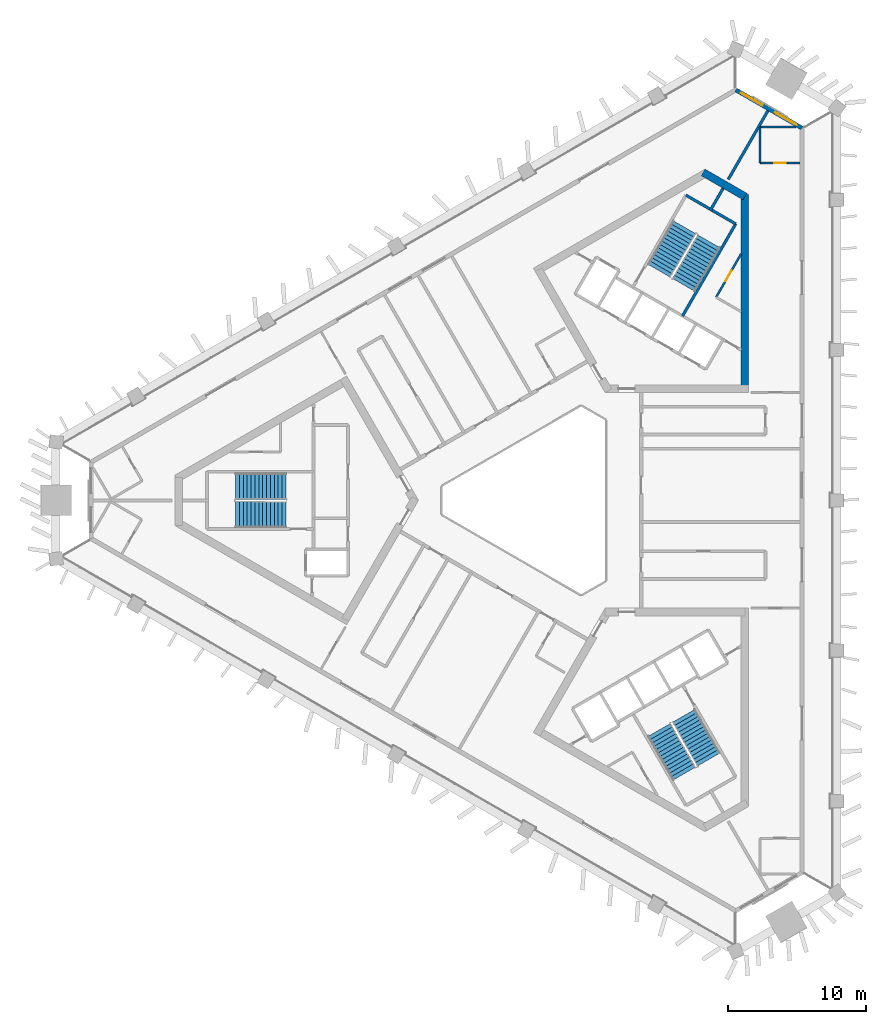
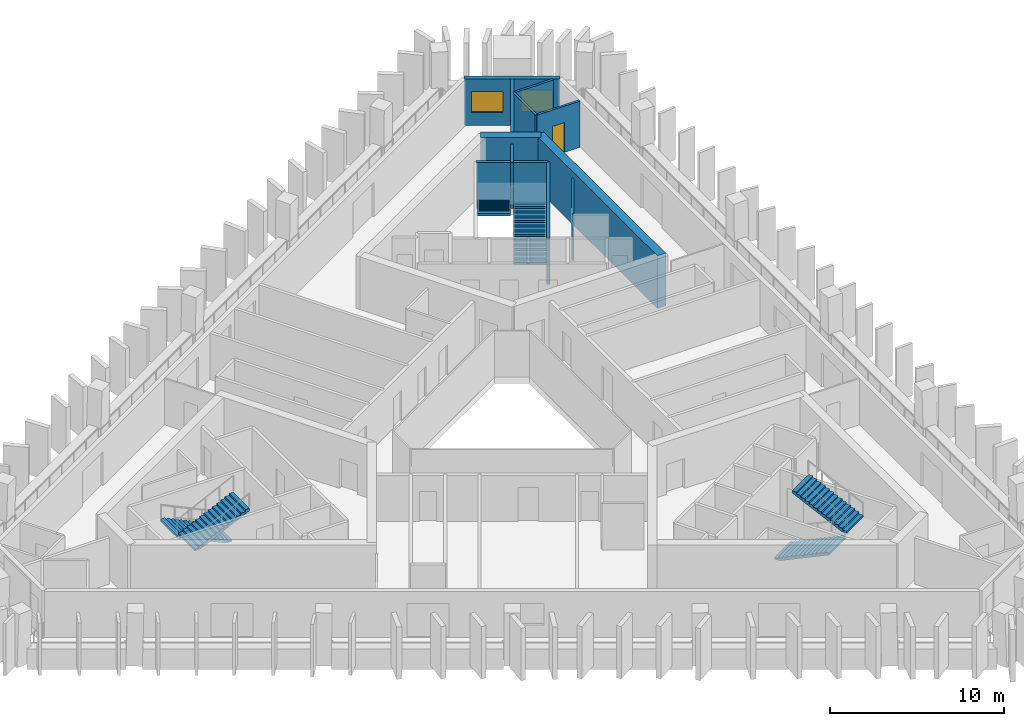
# One storey, part 6 of 10: 11 walls, 6 stair flights, 2 doors, 2 windows, 4 openings, 3 elements without a shape of their own.
"""IFC4 building model written with IfcOpenShell, lengths in metres."""

import ifcopenshell
import ifcopenshell.guid

model = None  # the IFC model being written
_history = None  # IfcOwnerHistory: only IFC2X3 demands one
_inside = {}  # id of a spatial element -> (the spatial element, [elements in it])
_under = {}  # id of a project, library or spatial element -> (it, [spatial elements below it])
_declared = {}  # id of a project -> (the project, [libraries it declares])
_typed = {}  # id of a type object -> (the type object, [elements of that type])
_made_of = {}  # id of a material, layer set ... -> (it, [elements and type objects made of it])


def new_model(schema):
    """Start an empty IFC model of exactly this schema.

    Asked for "IFC4X3", IfcOpenShell would pick the latest addendum, in which some entities
    have other attributes; the version numbers below select the first issue.
    IFC2X3 requires an IfcOwnerHistory on every rooted entity: one is made here for all.
    """
    global model, _history
    if schema == "IFC4X3":
        model = ifcopenshell.file(schema_version=(4, 3, 0, 0))
    else:
        model = ifcopenshell.file(schema=schema)
    _inside.clear()
    _under.clear()
    _declared.clear()
    _typed.clear()
    _made_of.clear()
    _history = None
    if model.schema == "IFC2X3":
        org = make("IfcOrganization", Name="unknown")
        user = make(
            "IfcPersonAndOrganization",
            ThePerson=make("IfcPerson", FamilyName="unknown"),
            TheOrganization=org,
        )
        app = make(
            "IfcApplication",
            ApplicationDeveloper=org,
            Version="unknown",
            ApplicationFullName="unknown",
            ApplicationIdentifier="unknown",
        )
        _history = make(
            "IfcOwnerHistory",
            OwningUser=user,
            OwningApplication=app,
            ChangeAction="ADDED",
            CreationDate=0,
        )
    return model


def make(cls, **values):
    """One entity of the class cls with the attributes given. An attribute that is None is left unset."""
    return model.create_entity(
        cls, **{name: value for name, value in values.items() if value is not None}
    )


def rooted(cls, **values):
    """An entity with a GlobalId (a new one), such as an element, a storey or a relation."""
    return make(cls, GlobalId=ifcopenshell.guid.new(), OwnerHistory=_history, **values)


def si_unit(unit_type, name, prefix=None):
    """IfcSIUnit, for example si_unit("LENGTHUNIT", "METRE", prefix="MILLI")."""
    return make("IfcSIUnit", UnitType=unit_type, Prefix=prefix, Name=name)


def assignment(units):
    """IfcUnitAssignment: the units of a project."""
    return None if units is None else make("IfcUnitAssignment", Units=units)


def point(xyz):
    """IfcCartesianPoint."""
    return None if xyz is None else make("IfcCartesianPoint", Coordinates=xyz)


def direction(xyz):
    """IfcDirection."""
    return None if xyz is None else make("IfcDirection", DirectionRatios=xyz)


def frame(location, z_axis=None, x_axis=None):
    """IfcAxis2Placement3D, a coordinate frame: its origin and axes. An axis left out is left unset."""
    return make(
        "IfcAxis2Placement3D",
        Location=point(location),
        Axis=direction(z_axis),
        RefDirection=direction(x_axis),
    )


def frame_2d(location, x_axis=None):
    """IfcAxis2Placement2D, a coordinate frame in the plane: its origin and x axis."""
    return make(
        "IfcAxis2Placement2D", Location=point(location), RefDirection=direction(x_axis)
    )


def origin():
    """The frame at (0, 0, 0) with its axes left unset."""
    return frame((0.0, 0.0, 0.0))


def place(relative_to, where):
    """IfcLocalPlacement: puts the frame where relative to a parent placement (None: the world)."""
    return make(
        "IfcLocalPlacement", PlacementRelTo=relative_to, RelativePlacement=where
    )


def context(
    kind, dimensions, precision=None, world=None, true_north=None, identifier=None
):
    """IfcGeometricRepresentationContext, for example the 3D "Model" context."""
    return make(
        "IfcGeometricRepresentationContext",
        ContextIdentifier=identifier,
        ContextType=kind,
        CoordinateSpaceDimension=dimensions,
        Precision=precision,
        WorldCoordinateSystem=world,
        TrueNorth=true_north,
    )


def subcontext(parent, identifier, kind, view, scale=None):
    """IfcGeometricRepresentationSubContext, for example "Body" below "Model"."""
    return make(
        "IfcGeometricRepresentationSubContext",
        ContextIdentifier=identifier,
        ContextType=kind,
        ParentContext=parent,
        TargetScale=scale,
        TargetView=view,
    )


def project(units=None, contexts=None):
    """IfcProject with its units and contexts."""
    return rooted(
        "IfcProject",
        Name="project",
        RepresentationContexts=contexts,
        UnitsInContext=assignment(units),
    )


def spatial(cls, under=None, at=None, **own):
    """A site, building, storey or space (cls), placed at a placement, below another one or the project."""
    s = rooted(cls, ObjectPlacement=at, **own)
    if under is not None:
        _under.setdefault(under.id(), (under, []))[1].append(s)
    return s


def polyline(points):
    """IfcPolyline through the points."""
    return make("IfcPolyline", Points=[point(p) for p in points])


def profile(cls, at=None, kind="AREA", **sizes):
    """A parametric profile (cls). Its sizes go by their IFC names, for example OverallWidth=200.0."""
    return make(cls, ProfileType=kind, Position=at, **sizes)


def rectangle(**sizes):
    """IfcRectangleProfileDef."""
    return profile("IfcRectangleProfileDef", **sizes)


def outline(outer, holes=None, kind="AREA"):
    """IfcArbitraryClosedProfileDef: a profile drawn as a closed curve; with holes, ...WithVoids."""
    if holes is None:
        return make("IfcArbitraryClosedProfileDef", ProfileType=kind, OuterCurve=outer)
    return make(
        "IfcArbitraryProfileDefWithVoids",
        ProfileType=kind,
        OuterCurve=outer,
        InnerCurves=holes,
    )


def extrude(swept, where, along, depth):
    """IfcExtrudedAreaSolid: the profile swept, set in the frame where, extruded along a direction by depth."""
    return make(
        "IfcExtrudedAreaSolid",
        SweptArea=swept,
        Position=where,
        ExtrudedDirection=direction(along),
        Depth=depth,
    )


def shape(context_of_items, identifier, shape_type, items):
    """IfcShapeRepresentation: the items that make up one representation, for example the "Body"."""
    return make(
        "IfcShapeRepresentation",
        ContextOfItems=context_of_items,
        RepresentationIdentifier=identifier,
        RepresentationType=shape_type,
        Items=items,
    )


def material(Name=None, Category=None):
    """IfcMaterial."""
    return make("IfcMaterial", Name=Name, Category=Category)


def layer(
    of_material, thickness, ventilated=None, Name=None, Category=None, Priority=None
):
    """IfcMaterialLayer: one layer of a wall or slab, of a material (None: an air gap)."""
    return make(
        "IfcMaterialLayer",
        Material=of_material,
        LayerThickness=thickness,
        IsVentilated=ventilated,
        Name=Name,
        Category=Category,
        Priority=Priority,
    )


def layer_set(layers, Name=None):
    """IfcMaterialLayerSet."""
    return make("IfcMaterialLayerSet", MaterialLayers=layers, LayerSetName=Name)


def made_of(thing, what):
    """Note that an element or type object is made of a material, layer set ...; save() writes the relation."""
    if what is not None:
        _made_of.setdefault(what.id(), (what, []))[1].append(thing)
    return thing


def type_object(cls, material=None, **own):
    """A type object (cls), such as IfcWallType, which elements share."""
    return made_of(rooted(cls, **own), material)


def element(
    cls,
    number,
    at=None,
    inside=None,
    cuts=None,
    type_object=None,
    material=None,
    context=None,
    identifier="Body",
    shape_type=None,
    held_by="IfcProductDefinitionShape",
    body=None,
    shapes=None,
    **own,
):
    """One element of the class cls, such as IfcWall. Its Tag is "e" and its number.

    at: its placement. inside: the storey or other place that contains it. cuts: it is an
    opening in that element (IfcRelVoidsElement). A single representation is given by context,
    identifier, shape_type and body (its items); several are given by shapes. held_by: the class
    of the entity that holds the representations. save() writes the other relations.
    """
    e = rooted(cls, Tag="e%d" % number, ObjectPlacement=at, **own)
    if body is not None:
        shapes = [shape(context, identifier, shape_type, body)]
    if shapes is not None:
        e.Representation = make(held_by, Representations=shapes)
    if inside is not None:
        _inside.setdefault(inside.id(), (inside, []))[1].append(e)
    if cuts is not None:
        rooted(
            "IfcRelVoidsElement", RelatingBuildingElement=cuts, RelatedOpeningElement=e
        )
    if type_object is not None:
        _typed.setdefault(type_object.id(), (type_object, []))[1].append(e)
    return made_of(e, material)


def fill(opening, filler):
    """IfcRelFillsElement: the door or window that sits in an opening."""
    return rooted(
        "IfcRelFillsElement",
        RelatingOpeningElement=opening,
        RelatedBuildingElement=filler,
    )


def aggregate(whole, parts):
    """IfcRelAggregates: a whole, such as a stair, and the parts it consists of."""
    return rooted("IfcRelAggregates", RelatingObject=whole, RelatedObjects=parts)


def save(model, path):
    """Write the relations noted so far, then the file.

    IfcRelAggregates (storeys below a building ...), IfcRelContainedInSpatialStructure (elements
    in a storey), IfcRelDefinesByType, IfcRelAssociatesMaterial and IfcRelDeclares: one each for
    every whole, place, type object, material and project.
    """
    for whole, parts in _under.values():
        aggregate(whole, parts)
    for where, things in _inside.values():
        rooted(
            "IfcRelContainedInSpatialStructure",
            RelatedElements=things,
            RelatingStructure=where,
        )
    for kind, things in _typed.values():
        rooted("IfcRelDefinesByType", RelatedObjects=things, RelatingType=kind)
    for what, things in _made_of.values():
        rooted("IfcRelAssociatesMaterial", RelatedObjects=things, RelatingMaterial=what)
    for by, libraries in _declared.values():
        rooted("IfcRelDeclares", RelatingContext=by, RelatedDefinitions=libraries)
    model.write(path)


model = new_model("IFC4")

# Units and contexts
model_context = context("Model", 3, precision=1e-05, world=origin(), true_north=direction((0.0, 1.0)))
body_context = subcontext(model_context, "Body", "Model", "MODEL_VIEW")
ifc_project = project(units=[si_unit("LENGTHUNIT", "METRE"), si_unit("AREAUNIT", "SQUARE_METRE"), si_unit("VOLUMEUNIT", "CUBIC_METRE"), si_unit("PLANEANGLEUNIT", "RADIAN"), si_unit("MASSUNIT", "GRAM", prefix="KILO")], contexts=[model_context])

# Site, building, storey
site_placement = place(None, origin())
site = spatial("IfcSite", under=ifc_project, at=site_placement, CompositionType="ELEMENT")
building_placement = place(site_placement, origin())
building = spatial("IfcBuilding", under=site, at=building_placement, Name="Jabali Bay Hotel Tower and Convention Centre", CompositionType="ELEMENT")
storey_placement = place(building_placement, frame((0.0, 0.0, 167.39990234375)))
storey = spatial("IfcBuildingStorey", under=building, at=storey_placement, Name="L40", CompositionType="ELEMENT", Elevation=167.39990234375)

# Wall
ifc_material_1 = material(Name="Concrete C40", Category="concrete")
ifc_layer_1 = layer(ifc_material_1, 0.199951171875)
ifc_layer_set_1 = layer_set([ifc_layer_1], Name="Concrete C40")
wall_type_1 = type_object("IfcWallType", Name="Core partition wall 200", PredefinedType="PARTITIONING", material=ifc_layer_set_1)
wall_1_placement = place(storey_placement, frame((87.090087890625, 100.9404296875, 0.0), z_axis=(0.0, 0.0, 1.0), x_axis=(0.499951854219, 0.86605319898, 0.0)))
element("IfcWall", 1, at=wall_1_placement, inside=storey, type_object=wall_type_1, Name="Core wall 1.5 L40", PredefinedType="PARTITIONING", context=body_context, shape_type="SweptSolid", body=[
    extrude(rectangle(XDim=1.873291015625, YDim=0.199951171875, at=frame_2d((0.9365234375, 0.0))), origin(), (0.0, 0.0, 1.0), 3.25),
])

# Wall, opening, door
ifc_material_2 = material(Name="Fire-rated board partition")
ifc_layer_2 = layer(ifc_material_2, 0.14990234375)
ifc_layer_set_2 = layer_set([ifc_layer_2], Name="Fire-rated board partition")
wall_type_2 = type_object("IfcWallType", Name="Core room partition 150", PredefinedType="PARTITIONING", material=ifc_layer_set_2)
wall_2_placement = place(storey_placement, frame((87.52099609375, 94.687255859375, 0.0), z_axis=(0.0, 0.0, 1.0), x_axis=(0.500043727655, 0.866000156139, 0.0)))
wall_2 = element("IfcWall", 2, at=wall_2_placement, inside=storey, type_object=wall_type_2, Name="Core wall 1.1 L40", PredefinedType="PARTITIONING", context=body_context, shape_type="SweptSolid", body=[
    extrude(rectangle(XDim=3.617919921875, YDim=0.14990234375, at=frame_2d((1.80908203125, 0.0))), origin(), (0.0, 0.0, 1.0), 3.25),
])
opening_1_placement = place(wall_2_placement, frame((1.33154296875, 0.0, 0.0)))
opening_1 = element("IfcOpeningElement", 3, at=opening_1_placement, cuts=wall_2, Name="Opening D878", PredefinedType="OPENING", context=body_context, shape_type="SweptSolid", body=[
    extrude(rectangle(XDim=0.89990234375, YDim=2.10009765625, at=frame_2d((0.449951171875, 1.050048828125))), frame((0.0, 0.08544921875, 0.0), z_axis=(0.0, -1.0, 0.0), x_axis=(1.0, 0.0, 0.0)), (0.0, 0.0, 1.0), 0.1708984375),
])
ifc_material_3 = material(Name="Fire-rated steel door", Category="steel")
door_type_1 = type_object("IfcDoorType", Name="Core room door 900 x 2100", OperationType="NOTDEFINED", PredefinedType="NOTDEFINED", material=ifc_material_3)
door_1_placement = place(opening_1_placement, origin())
door_1 = element("IfcDoor", 4, at=door_1_placement, inside=storey, type_object=door_type_1, Name="Core room door D878", OperationType="SINGLE_SWING_LEFT", OverallHeight=2.10009765625, OverallWidth=0.89990234375, PredefinedType="NOTDEFINED", context=body_context, shape_type="SweptSolid", body=[
    extrude(rectangle(XDim=0.89990234375, YDim=2.10009765625, at=frame_2d((0.449951171875, 1.050048828125))), frame((0.0, 0.02490234375, 0.0), z_axis=(0.0, -1.0, 0.0), x_axis=(1.0, 0.0, 0.0)), (0.0, 0.0, 1.0), 0.050048828125),
])
fill(opening_1, door_1)

# Walls
ifc_layer_3 = layer(ifc_material_1, 0.199951171875)
ifc_layer_set_3 = layer_set([ifc_layer_3], Name="Concrete C40")
wall_type_3 = type_object("IfcWallType", Name="Core stair wall 200", PredefinedType="SOLIDWALL", material=ifc_layer_set_3)
wall_3_placement = place(storey_placement, frame((85.0869140625, 93.3212890625, 0.0), z_axis=(0.0, 0.0, 1.0), x_axis=(0.500019787375, 0.866013979237, 0.0)))
element("IfcWall", 5, at=wall_3_placement, inside=storey, type_object=wall_type_3, Name="Core wall 1.3 L40", PredefinedType="SOLIDWALL", context=body_context, shape_type="SweptSolid", body=[
    extrude(rectangle(XDim=7.699951171875, YDim=0.199951171875, at=frame_2d((3.85009765625, 0.0))), origin(), (0.0, 0.0, 1.0), 3.25),
])
wall_4_placement = place(storey_placement, frame((88.93701171875, 99.989501953125, 0.0), z_axis=(0.0, 0.0, 1.0), x_axis=(-0.866004344652, 0.500036473714, 0.0)))
element("IfcWall", 6, at=wall_4_placement, inside=storey, type_object=wall_type_3, Name="Core wall 1.15 L40", PredefinedType="SOLIDWALL", context=body_context, shape_type="SweptSolid", body=[
    extrude(rectangle(XDim=4.150146484375, YDim=0.199951171875, at=frame_2d((2.0751953125, 0.0))), origin(), (0.0, 0.0, 1.0), 3.25),
])
ifc_material_4 = material(Name="Concrete C60", Category="concrete")
ifc_layer_4 = layer(ifc_material_4, 0.550048828125)
ifc_layer_set_4 = layer_set([ifc_layer_4], Name="Concrete C60")
wall_type_4 = type_object("IfcWallType", Name="Core wall 550", PredefinedType="SHEAR", material=ifc_layer_set_4)
wall_5_placement = place(storey_placement, frame((89.60498046875, 88.0693359375, 0.0), z_axis=(0.0, 0.0, 1.0), x_axis=(0.0, 1.0, 0.0)))
element("IfcWall", 7, at=wall_5_placement, inside=storey, type_object=wall_type_4, Name="Core wall 2.2 L40", PredefinedType="SHEAR", context=body_context, shape_type="SweptSolid", body=[
    extrude(rectangle(XDim=14.058349609375, YDim=0.550048828125, at=frame_2d((7.029296875, 0.0))), origin(), (0.0, 0.0, 1.0), 3.7001953125),
])
wall_6_placement = place(storey_placement, frame((89.60498046875, 101.96875, 0.0), z_axis=(0.0, 0.0, 1.0), x_axis=(-0.865997833373, 0.500047750313, 0.0)))
element("IfcWall", 8, at=wall_6_placement, inside=storey, type_object=wall_type_4, Name="Core wall 2.3 L40", PredefinedType="SHEAR", context=body_context, shape_type="SweptSolid", body=[
    extrude(rectangle(XDim=3.486572265625, YDim=0.550048828125, at=frame_2d((1.7431640625, 0.0))), origin(), (0.0, 0.0, 1.0), 3.7001953125),
])

# Wall, openings, windows
ifc_layer_5 = layer(ifc_material_1, 0.300048828125)
ifc_layer_set_5 = layer_set([ifc_layer_5], Name="Concrete C40")
wall_type_5 = type_object("IfcWallType", Name="External wall 300", PredefinedType="SOLIDWALL", material=ifc_layer_set_5)
wall_7_placement = place(storey_placement, frame((88.95458984375, 109.6796875, 0.0), z_axis=(0.0, 0.0, 1.0), x_axis=(0.866039480772, -0.499975617149, 0.0)))
wall_7 = element("IfcWall", 9, at=wall_7_placement, inside=storey, type_object=wall_type_5, Name="External wall north-east chamfer L40", PredefinedType="SOLIDWALL", context=body_context, shape_type="SweptSolid", body=[
    extrude(rectangle(XDim=5.509521484375, YDim=0.300048828125, at=frame_2d((2.7548828125, 0.0))), origin(), (0.0, 0.0, 1.0), 3.25),
])
opening_2_placement = place(wall_7_placement, frame((3.275634765625, 0.0, 0.89990234375)))
opening_2 = element("IfcOpeningElement", 10, at=opening_2_placement, cuts=wall_7, Name="Opening W1", PredefinedType="OPENING", context=body_context, shape_type="SweptSolid", body=[
    extrude(rectangle(XDim=1.800048828125, YDim=1.5, at=frame_2d((0.89990234375, 0.75))), frame((0.0, 0.16064453125, 0.0), z_axis=(0.0, -1.0, 0.0), x_axis=(1.0, 0.0, 0.0)), (0.0, 0.0, 1.0), 0.321044921875),
])
opening_3_placement = place(wall_7_placement, frame((0.4345703125, 0.0, 0.89990234375)))
opening_3 = element("IfcOpeningElement", 11, at=opening_3_placement, cuts=wall_7, Name="Opening W1", PredefinedType="OPENING", context=body_context, shape_type="SweptSolid", body=[
    extrude(rectangle(XDim=1.800048828125, YDim=1.5, at=frame_2d((0.89990234375, 0.75))), frame((0.0, 0.16064453125, 0.0), z_axis=(0.0, -1.0, 0.0), x_axis=(1.0, 0.0, 0.0)), (0.0, 0.0, 1.0), 0.321044921875),
])
ifc_material_5 = material(Name="Glass", Category="glass")
window_type = type_object("IfcWindowType", Name="Window 1800 x 1500", PartitioningType="SINGLE_PANEL", PredefinedType="WINDOW", material=ifc_material_5)
window_1_placement = place(opening_2_placement, origin())
window_1 = element("IfcWindow", 12, at=window_1_placement, inside=storey, type_object=window_type, Name="Window 4003", OverallHeight=1.5, OverallWidth=1.800048828125, PartitioningType="SINGLE_PANEL", PredefinedType="WINDOW", context=body_context, shape_type="SweptSolid", body=[
    extrude(rectangle(XDim=1.800048828125, YDim=1.5, at=frame_2d((0.89990234375, 0.75))), frame((0.0, 0.030029296875, 0.0), z_axis=(0.0, -1.0, 0.0), x_axis=(1.0, 0.0, 0.0)), (0.0, 0.0, 1.0), 0.06005859375),
])
fill(opening_2, window_1)
window_2_placement = place(opening_3_placement, origin())
window_2 = element("IfcWindow", 13, at=window_2_placement, inside=storey, type_object=window_type, Name="Window 4005", OverallHeight=1.5, OverallWidth=1.800048828125, PartitioningType="SINGLE_PANEL", PredefinedType="WINDOW", context=body_context, shape_type="SweptSolid", body=[
    extrude(rectangle(XDim=1.800048828125, YDim=1.5, at=frame_2d((0.89990234375, 0.75))), frame((0.0, 0.030029296875, 0.0), z_axis=(0.0, -1.0, 0.0), x_axis=(1.0, 0.0, 0.0)), (0.0, 0.0, 1.0), 0.06005859375),
])
fill(opening_3, window_2)

# Wall, opening, door
ifc_material_6 = material(Name="Plasterboard on steel stud", Category="steel")
ifc_layer_6 = layer(ifc_material_6, 0.14990234375)
ifc_layer_set_6 = layer_set([ifc_layer_6], Name="Plasterboard on steel stud")
wall_type_6 = type_object("IfcWallType", Name="Partition 150 wet", PredefinedType="PARTITIONING", material=ifc_layer_set_6)
wall_8_placement = place(storey_placement, frame((93.5771484375, 104.394287109375, 0.0), z_axis=(0.0, 0.0, 1.0), x_axis=(-1.0, 0.0, 0.0)))
wall_8 = element("IfcWall", 14, at=wall_8_placement, inside=storey, type_object=wall_type_6, Name="Partition P03 L40 015", PredefinedType="PARTITIONING", context=body_context, shape_type="SweptSolid", body=[
    extrude(rectangle(XDim=2.87548828125, YDim=0.14990234375, at=frame_2d((1.437744140625, 0.0))), origin(), (0.0, 0.0, 1.0), 3.25),
])
opening_4_placement = place(wall_8_placement, frame((1.0380859375, 0.0, 0.0)))
opening_4 = element("IfcOpeningElement", 15, at=opening_4_placement, cuts=wall_8, Name="Opening 4008", PredefinedType="OPENING", context=body_context, shape_type="SweptSolid", body=[
    extrude(rectangle(XDim=0.800048828125, YDim=2.10009765625, at=frame_2d((0.39990234375, 1.050048828125))), frame((0.0, 0.08544921875, 0.0), z_axis=(0.0, -1.0, 0.0), x_axis=(1.0, 0.0, 0.0)), (0.0, 0.0, 1.0), 0.1708984375),
])
ifc_material_7 = material(Name="Timber", Category="wood")
door_type_2 = type_object("IfcDoorType", Name="En-suite door 800 x 2100", OperationType="NOTDEFINED", PredefinedType="NOTDEFINED", material=ifc_material_7)
door_2_placement = place(opening_4_placement, origin())
door_2 = element("IfcDoor", 16, at=door_2_placement, inside=storey, type_object=door_type_2, Name="Door 4008", OperationType="SINGLE_SWING_LEFT", OverallHeight=2.10009765625, OverallWidth=0.800048828125, PredefinedType="NOTDEFINED", context=body_context, shape_type="SweptSolid", body=[
    extrude(rectangle(XDim=0.800048828125, YDim=2.10009765625, at=frame_2d((0.39990234375, 1.050048828125))), frame((0.0, 0.02490234375, 0.0), z_axis=(0.0, -1.0, 0.0), x_axis=(1.0, 0.0, 0.0)), (0.0, 0.0, 1.0), 0.050048828125),
])
fill(opening_4, door_2)

# Walls
wall_9_placement = place(storey_placement, frame((90.70166015625, 104.394287109375, 0.0), z_axis=(0.0, 0.0, 1.0), x_axis=(0.0, 1.0, 0.0)))
element("IfcWall", 17, at=wall_9_placement, inside=storey, type_object=wall_type_6, Name="Partition P03 L40 016", PredefinedType="PARTITIONING", context=body_context, shape_type="SweptSolid", body=[
    extrude(rectangle(XDim=2.599853515625, YDim=0.14990234375, at=frame_2d((1.2998046875, 0.0))), origin(), (0.0, 0.0, 1.0), 3.25),
])
wall_10_placement = place(storey_placement, frame((90.70166015625, 106.994140625, 0.0), z_axis=(0.0, 0.0, 1.0), x_axis=(1.0, 0.0, 0.0)))
element("IfcWall", 18, at=wall_10_placement, inside=storey, type_object=wall_type_6, Name="Partition P03 L40 017", PredefinedType="PARTITIONING", context=body_context, shape_type="SweptSolid", body=[
    extrude(rectangle(XDim=2.6064453125, YDim=0.14990234375, at=frame_2d((1.30322265625, 0.0))), origin(), (0.0, 0.0, 1.0), 3.25),
])
ifc_layer_7 = layer(ifc_material_6, 0.199951171875)
ifc_layer_set_7 = layer_set([ifc_layer_7], Name="Plasterboard on steel stud")
wall_type_7 = type_object("IfcWallType", Name="Partition 200 party", PredefinedType="PARTITIONING", material=ifc_layer_set_7)
wall_11_placement = place(storey_placement, frame((91.2666015625, 108.1728515625, 0.0), z_axis=(0.0, 0.0, 1.0), x_axis=(-0.499979412418, -0.866037289704, 0.0)))
element("IfcWall", 19, at=wall_11_placement, inside=storey, type_object=wall_type_7, Name="Partition P01 L40 018", PredefinedType="PARTITIONING", context=body_context, shape_type="SweptSolid", body=[
    extrude(rectangle(XDim=5.729736328125, YDim=0.199951171875, at=frame_2d((2.86474609375, 0.0))), origin(), (0.0, 0.0, 1.0), 3.25),
])

# Stair, stair flights
stair_type = type_object("IfcStairType", Name="Exit stair 1900", PredefinedType="HALF_TURN_STAIR", material=ifc_material_1)
stair_1_placement = place(storey_placement, origin())
stair_1 = element("IfcStair", 20, at=stair_1_placement, inside=storey, type_object=stair_type, Name="L40 Exit Stair 1", PredefinedType="HALF_TURN_STAIR")
stair_flight_type = type_object("IfcStairFlightType", Name="Stair flight concrete 150", PredefinedType="STRAIGHT", material=ifc_material_1)
stair_flight_1_placement = place(storey_placement, frame((56.419921875, 81.02490234375, 0.0), z_axis=(0.0, 0.0, 1.0), x_axis=(-1.0, 0.0, 0.0)))
stair_flight_1 = element("IfcStairFlight", 21, at=stair_flight_1_placement, type_object=stair_flight_type, Name="ST1 flight 1", NumberOfRisers=14, NumberOfTreads=13, PredefinedType="STRAIGHT", RiserHeight=0.132142857, TreadLength=0.28, context=body_context, shape_type="SweptSolid", body=[
    extrude(outline(polyline([(0.0, 0.0), (0.0, 0.132080078125), (0.280029296875, 0.132080078125), (0.280029296875, 0.264404296875), (0.56005859375, 0.264404296875), (0.56005859375, 0.396484375), (0.840087890625, 0.396484375), (0.840087890625, 0.528564453125), (1.1201171875, 0.528564453125), (1.1201171875, 0.66064453125), (1.39990234375, 0.66064453125), (1.39990234375, 0.79296875), (1.679931640625, 0.79296875), (1.679931640625, 0.925048828125), (1.9599609375, 0.925048828125), (1.9599609375, 1.05712890625), (2.239990234375, 1.05712890625), (2.239990234375, 1.189208984375), (2.52001953125, 1.189208984375), (2.52001953125, 1.321533203125), (2.800048828125, 1.321533203125), (2.800048828125, 1.45361328125), (3.080078125, 1.45361328125), (3.080078125, 1.585693359375), (3.360107421875, 1.585693359375), (3.360107421875, 1.7177734375), (3.639892578125, 1.7177734375), (3.639892578125, 1.85009765625), (3.639892578125, 1.552001953125), (0.351318359375, 0.0), (0.0, 0.0)])), frame((0.0, 0.949951171875, 0.0), z_axis=(0.0, -1.0, 0.0), x_axis=(1.0, 0.0, 0.0)), (0.0, 0.0, 1.0), 1.89990234375),
])
stair_flight_2_placement = place(storey_placement, frame((52.780029296875, 78.97509765625, 1.85009765625), z_axis=(0.0, 0.0, 1.0), x_axis=(1.0, 0.0, 0.0)))
stair_flight_2 = element("IfcStairFlight", 22, at=stair_flight_2_placement, type_object=stair_flight_type, Name="ST1 flight 2", NumberOfRisers=14, NumberOfTreads=13, PredefinedType="STRAIGHT", RiserHeight=0.132142857, TreadLength=0.28, context=body_context, shape_type="SweptSolid", body=[
    extrude(outline(polyline([(0.0, 0.0), (0.0, 0.132080078125), (0.280029296875, 0.132080078125), (0.280029296875, 0.264404296875), (0.56005859375, 0.264404296875), (0.56005859375, 0.396484375), (0.840087890625, 0.396484375), (0.840087890625, 0.528564453125), (1.1201171875, 0.528564453125), (1.1201171875, 0.66064453125), (1.39990234375, 0.66064453125), (1.39990234375, 0.79296875), (1.679931640625, 0.79296875), (1.679931640625, 0.925048828125), (1.9599609375, 0.925048828125), (1.9599609375, 1.05712890625), (2.239990234375, 1.05712890625), (2.239990234375, 1.189208984375), (2.52001953125, 1.189208984375), (2.52001953125, 1.321533203125), (2.800048828125, 1.321533203125), (2.800048828125, 1.45361328125), (3.080078125, 1.45361328125), (3.080078125, 1.585693359375), (3.360107421875, 1.585693359375), (3.360107421875, 1.7177734375), (3.639892578125, 1.7177734375), (3.639892578125, 1.85009765625), (3.639892578125, 1.552001953125), (0.351318359375, 0.0), (0.0, 0.0)])), frame((0.0, 0.949951171875, 0.0), z_axis=(0.0, -1.0, 0.0), x_axis=(1.0, 0.0, 0.0)), (0.0, 0.0, 1.0), 1.89990234375),
])
aggregate(stair_1, [stair_flight_1, stair_flight_2])

stair_2_placement = place(storey_placement, origin())
stair_2 = element("IfcStair", 23, at=stair_2_placement, inside=storey, type_object=stair_type, Name="L40 Exit Stair 2", PredefinedType="HALF_TURN_STAIR")
stair_flight_3_placement = place(storey_placement, frame((85.177734375, 95.578369140625, 0.0), z_axis=(0.0, 0.0, 1.0), x_axis=(0.5, 0.866025403784, 0.0)))
stair_flight_3 = element("IfcStairFlight", 24, at=stair_flight_3_placement, type_object=stair_flight_type, Name="ST2 flight 1", NumberOfRisers=14, NumberOfTreads=13, PredefinedType="STRAIGHT", RiserHeight=0.132142857, TreadLength=0.28, context=body_context, shape_type="SweptSolid", body=[
    extrude(outline(polyline([(0.0, 0.0), (0.0, 0.132080078125), (0.280029296875, 0.132080078125), (0.280029296875, 0.264404296875), (0.56005859375, 0.264404296875), (0.56005859375, 0.396484375), (0.840087890625, 0.396484375), (0.840087890625, 0.528564453125), (1.1201171875, 0.528564453125), (1.1201171875, 0.66064453125), (1.39990234375, 0.66064453125), (1.39990234375, 0.79296875), (1.679931640625, 0.79296875), (1.679931640625, 0.925048828125), (1.9599609375, 0.925048828125), (1.9599609375, 1.05712890625), (2.239990234375, 1.05712890625), (2.239990234375, 1.189208984375), (2.52001953125, 1.189208984375), (2.52001953125, 1.321533203125), (2.800048828125, 1.321533203125), (2.800048828125, 1.45361328125), (3.080078125, 1.45361328125), (3.080078125, 1.585693359375), (3.360107421875, 1.585693359375), (3.360107421875, 1.7177734375), (3.639892578125, 1.7177734375), (3.639892578125, 1.85009765625), (3.639892578125, 1.552001953125), (0.351318359375, 0.0), (0.0, 0.0)])), frame((0.0, 0.949951171875, 0.0), z_axis=(0.0, -1.0, 0.0), x_axis=(1.0, 0.0, 0.0)), (0.0, 0.0, 1.0), 1.89990234375),
])
stair_flight_4_placement = place(storey_placement, frame((85.222412109375, 99.755615234375, 1.85009765625), z_axis=(0.0, 0.0, 1.0), x_axis=(-0.5, -0.866025403784, 0.0)))
stair_flight_4 = element("IfcStairFlight", 25, at=stair_flight_4_placement, type_object=stair_flight_type, Name="ST2 flight 2", NumberOfRisers=14, NumberOfTreads=13, PredefinedType="STRAIGHT", RiserHeight=0.132142857, TreadLength=0.28, context=body_context, shape_type="SweptSolid", body=[
    extrude(outline(polyline([(0.0, 0.0), (0.0, 0.132080078125), (0.280029296875, 0.132080078125), (0.280029296875, 0.264404296875), (0.56005859375, 0.264404296875), (0.56005859375, 0.396484375), (0.840087890625, 0.396484375), (0.840087890625, 0.528564453125), (1.1201171875, 0.528564453125), (1.1201171875, 0.66064453125), (1.39990234375, 0.66064453125), (1.39990234375, 0.79296875), (1.679931640625, 0.79296875), (1.679931640625, 0.925048828125), (1.9599609375, 0.925048828125), (1.9599609375, 1.05712890625), (2.239990234375, 1.05712890625), (2.239990234375, 1.189208984375), (2.52001953125, 1.189208984375), (2.52001953125, 1.321533203125), (2.800048828125, 1.321533203125), (2.800048828125, 1.45361328125), (3.080078125, 1.45361328125), (3.080078125, 1.585693359375), (3.360107421875, 1.585693359375), (3.360107421875, 1.7177734375), (3.639892578125, 1.7177734375), (3.639892578125, 1.85009765625), (3.639892578125, 1.552001953125), (0.351318359375, 0.0), (0.0, 0.0)])), frame((0.0, 0.949951171875, 0.0), z_axis=(0.0, -1.0, 0.0), x_axis=(1.0, 0.0, 0.0)), (0.0, 0.0, 1.0), 1.89990234375),
])
aggregate(stair_2, [stair_flight_3, stair_flight_4])

stair_3_placement = place(storey_placement, origin())
stair_3 = element("IfcStair", 26, at=stair_3_placement, inside=storey, type_object=stair_type, Name="L40 Exit Stair 3", PredefinedType="HALF_TURN_STAIR")
stair_flight_5_placement = place(storey_placement, frame((83.40234375, 63.396728515625, 0.0), z_axis=(0.0, 0.0, 1.0), x_axis=(0.5, -0.866025403784, 0.0)))
stair_flight_5 = element("IfcStairFlight", 27, at=stair_flight_5_placement, type_object=stair_flight_type, Name="ST3 flight 1", NumberOfRisers=14, NumberOfTreads=13, PredefinedType="STRAIGHT", RiserHeight=0.132142857, TreadLength=0.28, context=body_context, shape_type="SweptSolid", body=[
    extrude(outline(polyline([(0.0, 0.0), (0.0, 0.132080078125), (0.280029296875, 0.132080078125), (0.280029296875, 0.264404296875), (0.56005859375, 0.264404296875), (0.56005859375, 0.396484375), (0.840087890625, 0.396484375), (0.840087890625, 0.528564453125), (1.1201171875, 0.528564453125), (1.1201171875, 0.66064453125), (1.39990234375, 0.66064453125), (1.39990234375, 0.79296875), (1.679931640625, 0.79296875), (1.679931640625, 0.925048828125), (1.9599609375, 0.925048828125), (1.9599609375, 1.05712890625), (2.239990234375, 1.05712890625), (2.239990234375, 1.189208984375), (2.52001953125, 1.189208984375), (2.52001953125, 1.321533203125), (2.800048828125, 1.321533203125), (2.800048828125, 1.45361328125), (3.080078125, 1.45361328125), (3.080078125, 1.585693359375), (3.360107421875, 1.585693359375), (3.360107421875, 1.7177734375), (3.639892578125, 1.7177734375), (3.639892578125, 1.85009765625), (3.639892578125, 1.552001953125), (0.351318359375, 0.0), (0.0, 0.0)])), frame((0.0, 0.949951171875, 0.0), z_axis=(0.0, -1.0, 0.0), x_axis=(1.0, 0.0, 0.0)), (0.0, 0.0, 1.0), 1.89990234375),
])
stair_flight_6_placement = place(storey_placement, frame((86.99755859375, 61.26953125, 1.85009765625), z_axis=(0.0, 0.0, 1.0), x_axis=(-0.5, 0.866025403784, 0.0)))
stair_flight_6 = element("IfcStairFlight", 28, at=stair_flight_6_placement, type_object=stair_flight_type, Name="ST3 flight 2", NumberOfRisers=14, NumberOfTreads=13, PredefinedType="STRAIGHT", RiserHeight=0.132142857, TreadLength=0.28, context=body_context, shape_type="SweptSolid", body=[
    extrude(outline(polyline([(0.0, 0.0), (0.0, 0.132080078125), (0.280029296875, 0.132080078125), (0.280029296875, 0.264404296875), (0.56005859375, 0.264404296875), (0.56005859375, 0.396484375), (0.840087890625, 0.396484375), (0.840087890625, 0.528564453125), (1.1201171875, 0.528564453125), (1.1201171875, 0.66064453125), (1.39990234375, 0.66064453125), (1.39990234375, 0.79296875), (1.679931640625, 0.79296875), (1.679931640625, 0.925048828125), (1.9599609375, 0.925048828125), (1.9599609375, 1.05712890625), (2.239990234375, 1.05712890625), (2.239990234375, 1.189208984375), (2.52001953125, 1.189208984375), (2.52001953125, 1.321533203125), (2.800048828125, 1.321533203125), (2.800048828125, 1.45361328125), (3.080078125, 1.45361328125), (3.080078125, 1.585693359375), (3.360107421875, 1.585693359375), (3.360107421875, 1.7177734375), (3.639892578125, 1.7177734375), (3.639892578125, 1.85009765625), (3.639892578125, 1.552001953125), (0.351318359375, 0.0), (0.0, 0.0)])), frame((0.0, 0.949951171875, 0.0), z_axis=(0.0, -1.0, 0.0), x_axis=(1.0, 0.0, 0.0)), (0.0, 0.0, 1.0), 1.89990234375),
])
aggregate(stair_3, [stair_flight_5, stair_flight_6])

save(model, "model.ifc")
